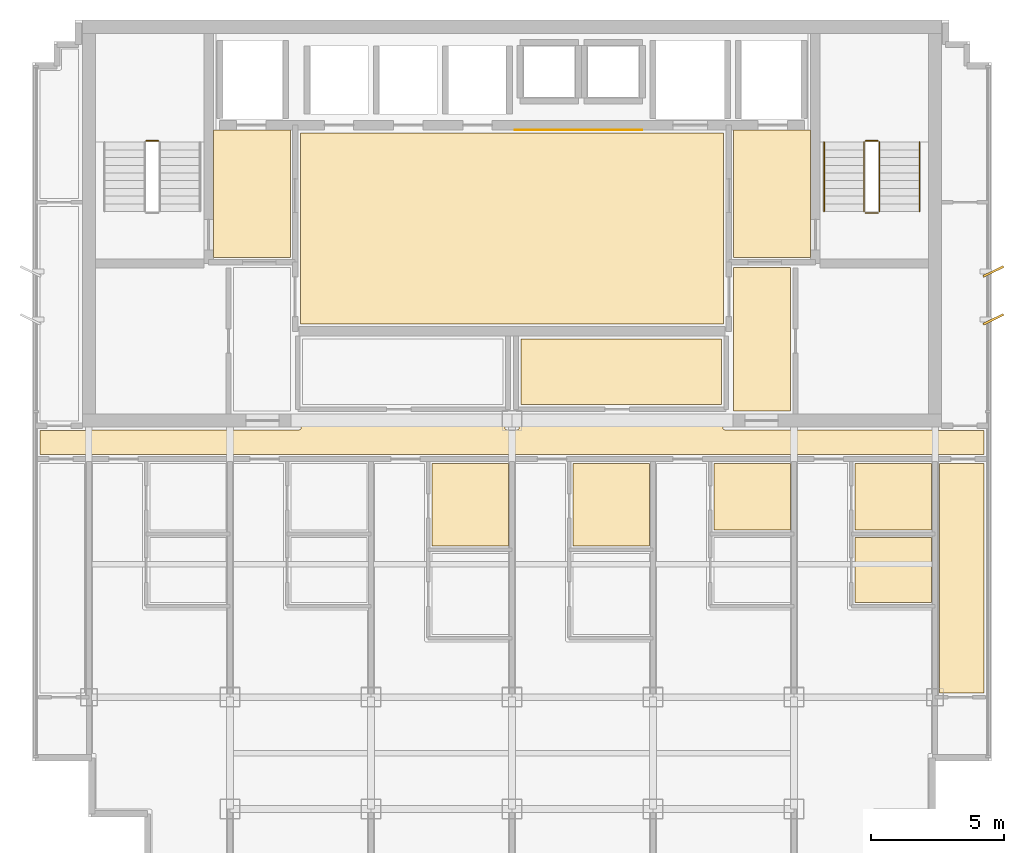
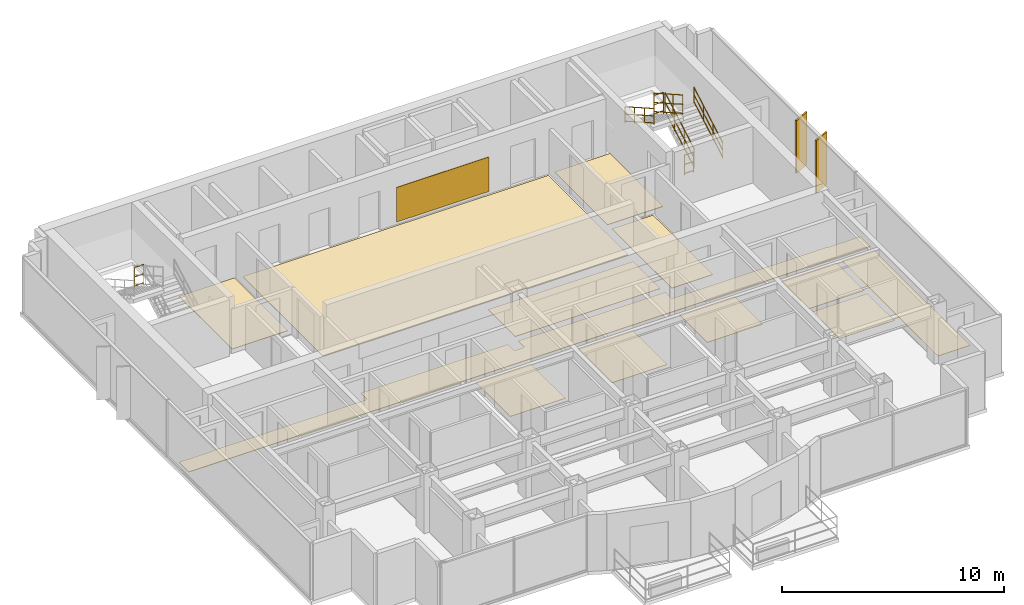
# One storey, part 10 of 10: 13 coverings, 7 railings, 2 shading devices.
"""IFC4 building model written with IfcOpenShell, lengths in metres."""

from ifc_helpers import new_model, si_unit, direction, frame, origin, origin_2d, place, context, subcontext, project, spatial, polyline, rectangle, circle, outline, extrude, source, transform, mapped, material, layer, layer_set, type_object, element, save


model = new_model("IFC4")

# Units and contexts
model_context = context("Model", 3, precision=1e-05, world=origin(), true_north=direction((0.0, 1.0)))
body_context = subcontext(model_context, "Body", "Model", "MODEL_VIEW")
ifc_project = project(units=[si_unit("LENGTHUNIT", "METRE"), si_unit("AREAUNIT", "SQUARE_METRE"), si_unit("VOLUMEUNIT", "CUBIC_METRE"), si_unit("PLANEANGLEUNIT", "RADIAN"), si_unit("MASSUNIT", "GRAM", prefix="KILO")], contexts=[model_context])

# Site, building, storey
site_placement = place(None, origin())
site = spatial("IfcSite", under=ifc_project, at=site_placement, CompositionType="ELEMENT")
building_placement = place(site_placement, origin())
building = spatial("IfcBuilding", under=site, at=building_placement, Name="Qianlan Lanfeng Residences", CompositionType="ELEMENT")
storey_placement = place(building_placement, frame((0.0, 0.0, 236.300048828125)))
storey = spatial("IfcBuildingStorey", under=building, at=storey_placement, Name="L65", CompositionType="ELEMENT", Elevation=236.300048828125)

# Coverings
ifc_material_1 = material(Name="Anodised Bronze Feature Wall Cladding")
ifc_layer_1 = layer(ifc_material_1, 0.02490234375)
ifc_layer_set_1 = layer_set([ifc_layer_1], Name="Anodised Bronze Feature Wall Cladding")
covering_type_1 = type_object("IfcCoveringType", Name="CLD-BRZ-25", PredefinedType="CLADDING", material=ifc_layer_set_1)
covering_1_placement = place(storey_placement, frame((0.0, 0.0, 0.14990234375)))
element("IfcCovering", 1, at=covering_1_placement, inside=storey, type_object=covering_type_1, Name="L65 Lift Lobby Bronze Feature Cladding", PredefinedType="CLADDING", context=body_context, shape_type="SweptSolid", body=[
    extrude(outline(polyline([(26.60009765625, 36.10009765625), (31.39990234375, 36.10009765625), (31.39990234375, 36.125), (26.60009765625, 36.125), (26.60009765625, 36.10009765625)])), origin(), (0.0, 0.0, 1.0), 1.900146484375),
])
ifc_material_2 = material(Name="Honed Taitung Granite Stone Flooring", Category="masonry")
ifc_layer_2 = layer(ifc_material_2, 0.030029296875)
ifc_layer_set_2 = layer_set([ifc_layer_2], Name="Honed Taitung Granite Stone Flooring")
covering_type_2 = type_object("IfcCoveringType", Name="FLR-STN-30", PredefinedType="FLOORING", material=ifc_layer_set_2)
covering_2_placement = place(storey_placement, origin())
element("IfcCovering", 2, at=covering_2_placement, inside=storey, type_object=covering_type_2, Name="L65 Firefighting Lift Lobby Floor Finish", PredefinedType="FLOORING", context=body_context, shape_type="SweptSolid", body=[
    extrude(outline(polyline([(15.2900390625, 31.320068359375), (18.179931640625, 31.320068359375), (18.179931640625, 36.110107421875), (15.2900390625, 36.110107421875), (15.2900390625, 31.320068359375)])), origin(), (0.0, 0.0, 1.0), 0.030029296875),
])
covering_3_placement = place(storey_placement, origin())
element("IfcCovering", 3, at=covering_3_placement, inside=storey, type_object=covering_type_2, Name="L65 Firefighting Lift Lobby Floor Finish", PredefinedType="FLOORING", context=body_context, shape_type="SweptSolid", body=[
    extrude(outline(polyline([(34.820068359375, 31.320068359375), (37.7099609375, 31.320068359375), (37.7099609375, 36.110107421875), (34.820068359375, 36.110107421875), (34.820068359375, 31.320068359375)])), origin(), (0.0, 0.0, 1.0), 0.030029296875),
])
covering_4_placement = place(storey_placement, origin())
element("IfcCovering", 4, at=covering_4_placement, inside=storey, type_object=covering_type_2, Name="L65 Lift Lobby Floor Finish", PredefinedType="FLOORING", context=body_context, shape_type="SweptSolid", body=[
    extrude(outline(polyline([(18.550048828125, 28.820068359375), (34.449951171875, 28.820068359375), (34.449951171875, 36.010009765625), (18.550048828125, 36.010009765625), (18.550048828125, 28.820068359375)])), origin(), (0.0, 0.0, 1.0), 0.030029296875),
])
covering_5_placement = place(storey_placement, origin())
element("IfcCovering", 5, at=covering_5_placement, inside=storey, type_object=covering_type_2, Name="L65 Residential Corridor Floor Finish", PredefinedType="FLOORING", context=body_context, shape_type="SweptSolid", body=[
    extrude(outline(polyline([(8.77001953125, 23.929931640625), (44.22998046875, 23.929931640625), (44.22998046875, 24.820068359375), (42.5400390625, 24.820068359375), (42.532958984375, 24.820068359375), (42.52587890625, 24.821044921875), (42.52001953125, 24.822998046875), (42.512939453125, 24.824951171875), (42.507080078125, 24.827880859375), (42.5009765625, 24.83203125), (42.49609375, 24.8359375), (42.490966796875, 24.841064453125), (42.486083984375, 24.845947265625), (42.48291015625, 24.85009765625), (34.5, 24.85009765625), (34.492919921875, 24.85009765625), (34.486083984375, 24.85107421875), (34.47998046875, 24.85302734375), (34.472900390625, 24.85498046875), (34.467041015625, 24.85791015625), (34.4609375, 24.862060546875), (34.4560546875, 24.865966796875), (34.450927734375, 24.87109375), (34.446044921875, 24.8759765625), (34.44189453125, 24.881103515625), (34.43798828125, 24.886962890625), (34.43505859375, 24.89306640625), (34.43310546875, 24.89990234375), (34.430908203125, 24.906005859375), (34.429931640625, 24.9130859375), (34.429931640625, 24.919921875), (34.429931640625, 25.429931640625), (26.77001953125, 25.429931640625), (26.77001953125, 24.919921875), (26.77001953125, 24.9130859375), (26.76904296875, 24.906005859375), (26.76708984375, 24.89990234375), (26.764892578125, 24.89306640625), (26.761962890625, 24.886962890625), (26.758056640625, 24.881103515625), (26.75390625, 24.8759765625), (26.7490234375, 24.87109375), (26.743896484375, 24.865966796875), (26.739013671875, 24.862060546875), (26.73291015625, 24.85791015625), (26.72705078125, 24.85498046875), (26.719970703125, 24.85302734375), (26.714111328125, 24.85107421875), (26.70703125, 24.85009765625), (26.699951171875, 24.85009765625), (26.300048828125, 24.85009765625), (26.29296875, 24.85009765625), (26.285888671875, 24.85107421875), (26.280029296875, 24.85302734375), (26.27294921875, 24.85498046875), (26.26708984375, 24.85791015625), (26.260986328125, 24.862060546875), (26.256103515625, 24.865966796875), (26.2509765625, 24.87109375), (26.24609375, 24.8759765625), (26.241943359375, 24.881103515625), (26.238037109375, 24.886962890625), (26.235107421875, 24.89306640625), (26.23291015625, 24.89990234375), (26.23095703125, 24.906005859375), (26.22998046875, 24.9130859375), (26.22998046875, 24.919921875), (26.22998046875, 25.429931640625), (18.570068359375, 25.429931640625), (18.570068359375, 24.919921875), (18.570068359375, 24.9130859375), (18.569091796875, 24.906005859375), (18.56689453125, 24.89990234375), (18.56494140625, 24.89306640625), (18.56201171875, 24.886962890625), (18.55810546875, 24.881103515625), (18.553955078125, 24.8759765625), (18.549072265625, 24.87109375), (18.5439453125, 24.865966796875), (18.5390625, 24.862060546875), (18.532958984375, 24.85791015625), (18.527099609375, 24.85498046875), (18.52001953125, 24.85302734375), (18.513916015625, 24.85107421875), (18.507080078125, 24.85009765625), (18.5, 24.85009765625), (10.51708984375, 24.85009765625), (10.513916015625, 24.845947265625), (10.509033203125, 24.841064453125), (10.50390625, 24.8359375), (10.4990234375, 24.83203125), (10.492919921875, 24.827880859375), (10.487060546875, 24.824951171875), (10.47998046875, 24.822998046875), (10.47412109375, 24.821044921875), (10.467041015625, 24.820068359375), (10.4599609375, 24.820068359375), (8.77001953125, 24.820068359375), (8.77001953125, 23.929931640625)])), origin(), (0.0, 0.0, 1.0), 0.030029296875),
])
covering_6_placement = place(storey_placement, origin())
element("IfcCovering", 6, at=covering_6_placement, inside=storey, type_object=covering_type_2, Name="L65 Lift Lobby Floor Finish", PredefinedType="FLOORING", context=body_context, shape_type="SweptSolid", body=[
    extrude(outline(polyline([(34.830078125, 25.56005859375), (36.969970703125, 25.56005859375), (36.969970703125, 30.949951171875), (34.830078125, 30.949951171875), (34.830078125, 25.56005859375)])), origin(), (0.0, 0.0, 1.0), 0.030029296875),
])
ifc_material_3 = material(Name="Slip-Resistant Porcelain Tile Flooring")
ifc_layer_3 = layer(ifc_material_3, 0.02001953125)
ifc_layer_set_3 = layer_set([ifc_layer_3], Name="Slip-Resistant Porcelain Tile Flooring")
covering_type_3 = type_object("IfcCoveringType", Name="FLR-TIL-20", PredefinedType="FLOORING", material=ifc_layer_set_3)
covering_7_placement = place(storey_placement, origin())
element("IfcCovering", 7, at=covering_7_placement, inside=storey, type_object=covering_type_3, Name="L65 Bathroom Floor Finish", PredefinedType="FLOORING", context=body_context, shape_type="SweptSolid", body=[
    extrude(outline(polyline([(23.489990234375, 20.47509765625), (26.360107421875, 20.47509765625), (26.360107421875, 23.580078125), (23.489990234375, 23.580078125), (23.489990234375, 20.47509765625)])), origin(), (0.0, 0.0, 1.0), 0.02001953125),
])
covering_8_placement = place(storey_placement, origin())
element("IfcCovering", 8, at=covering_8_placement, inside=storey, type_object=covering_type_3, Name="L65 Bathroom Floor Finish", PredefinedType="FLOORING", context=body_context, shape_type="SweptSolid", body=[
    extrude(outline(polyline([(28.7900390625, 20.47509765625), (31.659912109375, 20.47509765625), (31.659912109375, 23.580078125), (28.7900390625, 23.580078125), (28.7900390625, 20.47509765625)])), origin(), (0.0, 0.0, 1.0), 0.02001953125),
])
covering_9_placement = place(storey_placement, origin())
element("IfcCovering", 9, at=covering_9_placement, inside=storey, type_object=covering_type_3, Name="L65 Bathroom Floor Finish", PredefinedType="FLOORING", context=body_context, shape_type="SweptSolid", body=[
    extrude(outline(polyline([(34.090087890625, 21.074951171875), (36.9599609375, 21.074951171875), (36.9599609375, 23.580078125), (34.090087890625, 23.580078125), (34.090087890625, 21.074951171875)])), origin(), (0.0, 0.0, 1.0), 0.02001953125),
])
covering_10_placement = place(storey_placement, origin())
element("IfcCovering", 10, at=covering_10_placement, inside=storey, type_object=covering_type_3, Name="L65 Kitchen Floor Finish", PredefinedType="FLOORING", context=body_context, shape_type="SweptSolid", body=[
    extrude(outline(polyline([(39.389892578125, 18.360107421875), (42.260009765625, 18.360107421875), (42.260009765625, 20.794921875), (39.389892578125, 20.794921875), (39.389892578125, 18.360107421875)])), origin(), (0.0, 0.0, 1.0), 0.02001953125),
])
covering_11_placement = place(storey_placement, origin())
element("IfcCovering", 11, at=covering_11_placement, inside=storey, type_object=covering_type_3, Name="L65 Bathroom Floor Finish", PredefinedType="FLOORING", context=body_context, shape_type="SweptSolid", body=[
    extrude(outline(polyline([(39.389892578125, 21.074951171875), (42.260009765625, 21.074951171875), (42.260009765625, 23.580078125), (39.389892578125, 23.580078125), (39.389892578125, 21.074951171875)])), origin(), (0.0, 0.0, 1.0), 0.02001953125),
])
ifc_material_4 = material(Name="Engineered Smoked Oak Timber Flooring", Category="wood")
ifc_layer_4 = layer(ifc_material_4, 0.02197265625)
ifc_layer_set_4 = layer_set([ifc_layer_4], Name="Engineered Smoked Oak Timber Flooring")
covering_type_4 = type_object("IfcCoveringType", Name="FLR-TIM-22", PredefinedType="FLOORING", material=ifc_layer_set_4)
covering_12_placement = place(storey_placement, origin())
element("IfcCovering", 12, at=covering_12_placement, inside=storey, type_object=covering_type_4, Name="L65 Panoramic Sky Foyer Salon Floor Finish", PredefinedType="FLOORING", context=body_context, shape_type="SweptSolid", body=[
    extrude(outline(polyline([(26.830078125, 25.800048828125), (34.3701171875, 25.800048828125), (34.3701171875, 28.2548828125), (26.830078125, 28.2548828125), (26.830078125, 25.800048828125)])), origin(), (0.0, 0.0, 1.0), 0.02197265625),
])
covering_13_placement = place(storey_placement, origin())
element("IfcCovering", 13, at=covering_13_placement, inside=storey, type_object=covering_type_4, Name="L65 Private Study Floor Finish", PredefinedType="FLOORING", context=body_context, shape_type="SweptSolid", body=[
    extrude(outline(polyline([(44.22998046875, 23.580078125), (42.56005859375, 23.580078125), (42.56005859375, 14.949951171875), (44.22998046875, 14.949951171875), (44.22998046875, 23.580078125)])), origin(), (0.0, 0.0, 1.0), 0.02197265625),
])

# Railings
ifc_material_5 = material(Name="Painted Galvanised Steel Guardrail", Category="steel")
railing_type_1 = type_object("IfcRailingType", Name="GR-ST-1120", PredefinedType="GUARDRAIL", material=ifc_material_5)
railing_1_placement = place(storey_placement, frame((13.219970703125, 35.7099609375, 1.64990234375)))
element("IfcRailing", 14, at=railing_1_placement, inside=storey, type_object=railing_type_1, Name="L65 ST-1 stair guard 2", PredefinedType="GUARDRAIL", context=body_context, shape_type="SweptSolid", body=[
    extrude(circle(Radius=0.02392578125, at=origin_2d()), frame((0.0, 0.0, 0.083984375), z_axis=(-1.0, 0.0, 0.0), x_axis=(0.0, -1.0, 0.0)), (0.0, 0.0, 1.0), 0.47998046875),
    extrude(circle(Radius=0.02392578125, at=origin_2d()), frame((0.0, 0.0, 0.58251953125), z_axis=(-1.0, 0.0, 0.0), x_axis=(0.0, -1.0, 0.0)), (0.0, 0.0, 1.0), 0.47998046875),
    extrude(circle(Radius=0.02392578125, at=origin_2d()), frame((0.0, 0.0, 1.09619140625), z_axis=(-1.0, 0.0, 0.0), x_axis=(0.0, -1.0, 0.0)), (0.0, 0.0, 1.0), 0.47998046875),
    extrude(circle(Radius=0.02099609375, at=origin_2d()), origin(), (0.0, 0.0, 1.0), 1.072021484375),
    extrude(circle(Radius=0.02099609375, at=origin_2d()), frame((-0.47998046875, 0.0, 0.0)), (0.0, 0.0, 1.0), 1.072021484375),
])
railing_2_placement = place(storey_placement, frame((40.31005859375, 33.050048828125, 0.1650390625)))
element("IfcRailing", 15, at=railing_2_placement, inside=storey, type_object=railing_type_1, Name="L65 ST-2 stair guard 1", PredefinedType="GUARDRAIL", context=body_context, shape_type="SweptSolid", body=[
    extrude(circle(Radius=0.02392578125, at=origin_2d()), frame((0.0, 0.0, 0.083984375), z_axis=(0.0, 0.869172267526, 0.494509422927), x_axis=(-1.0, 0.0, 0.0)), (0.0, 0.0, 1.0), 3.002685546875),
    extrude(circle(Radius=0.02392578125, at=origin_2d()), frame((0.0, 0.0, 0.58251953125), z_axis=(0.0, 0.869172267526, 0.494509422927), x_axis=(-1.0, 0.0, 0.0)), (0.0, 0.0, 1.0), 3.002685546875),
    extrude(circle(Radius=0.02392578125, at=origin_2d()), frame((0.0, 0.0, 1.09619140625), z_axis=(0.0, 0.869172267526, 0.494509422927), x_axis=(-1.0, 0.0, 0.0)), (0.0, 0.0, 1.0), 3.002685546875),
    extrude(circle(Radius=0.02099609375, at=origin_2d()), origin(), (0.0, 0.0, 1.0), 1.072021484375),
    extrude(circle(Radius=0.02099609375, at=origin_2d()), frame((0.0, 0.869873046875, 0.494873046875)), (0.0, 0.0, 1.0), 1.072021484375),
    extrude(circle(Radius=0.02099609375, at=origin_2d()), frame((0.0, 1.739990234375, 0.989990234375)), (0.0, 0.0, 1.0), 1.072021484375),
    extrude(circle(Radius=0.02099609375, at=origin_2d()), frame((0.0, 2.60986328125, 1.48486328125)), (0.0, 0.0, 1.0), 1.072021484375),
])
railing_3_placement = place(storey_placement, frame((40.260009765625, 35.7099609375, 1.64990234375)))
element("IfcRailing", 16, at=railing_3_placement, inside=storey, type_object=railing_type_1, Name="L65 ST-2 stair guard 2", PredefinedType="GUARDRAIL", context=body_context, shape_type="SweptSolid", body=[
    extrude(circle(Radius=0.02392578125, at=origin_2d()), frame((0.0, 0.0, 0.083984375), z_axis=(-1.0, 0.0, 0.0), x_axis=(0.0, -1.0, 0.0)), (0.0, 0.0, 1.0), 0.47998046875),
    extrude(circle(Radius=0.02392578125, at=origin_2d()), frame((0.0, 0.0, 0.58251953125), z_axis=(-1.0, 0.0, 0.0), x_axis=(0.0, -1.0, 0.0)), (0.0, 0.0, 1.0), 0.47998046875),
    extrude(circle(Radius=0.02392578125, at=origin_2d()), frame((0.0, 0.0, 1.09619140625), z_axis=(-1.0, 0.0, 0.0), x_axis=(0.0, -1.0, 0.0)), (0.0, 0.0, 1.0), 0.47998046875),
    extrude(circle(Radius=0.02099609375, at=origin_2d()), origin(), (0.0, 0.0, 1.0), 1.072021484375),
    extrude(circle(Radius=0.02099609375, at=origin_2d()), frame((-0.47998046875, 0.0, 0.0)), (0.0, 0.0, 1.0), 1.072021484375),
])
railing_4_placement = place(storey_placement, frame((39.72998046875, 35.659912109375, 1.81494140625)))
element("IfcRailing", 17, at=railing_4_placement, inside=storey, type_object=railing_type_1, Name="L65 ST-2 stair guard 3", PredefinedType="GUARDRAIL", context=body_context, shape_type="SweptSolid", body=[
    extrude(circle(Radius=0.02392578125, at=origin_2d()), frame((0.0, 0.0, 0.083984375), z_axis=(0.0, -0.869137319866, 0.494570843475), x_axis=(1.0, 0.0, 0.0)), (0.0, 0.0, 1.0), 3.0029296875),
    extrude(circle(Radius=0.02392578125, at=origin_2d()), frame((0.0, 0.0, 0.58251953125), z_axis=(0.0, -0.869137319866, 0.494570843475), x_axis=(1.0, 0.0, 0.0)), (0.0, 0.0, 1.0), 3.0029296875),
    extrude(circle(Radius=0.02392578125, at=origin_2d()), frame((0.0, 0.0, 1.09619140625), z_axis=(0.0, -0.869137319866, 0.494570843475), x_axis=(1.0, 0.0, 0.0)), (0.0, 0.0, 1.0), 3.0029296875),
    extrude(circle(Radius=0.02099609375, at=origin_2d()), origin(), (0.0, 0.0, 1.0), 1.072021484375),
    extrude(circle(Radius=0.02099609375, at=origin_2d()), frame((0.0, -0.869873046875, 0.4951171875)), (0.0, 0.0, 1.0), 1.072021484375),
    extrude(circle(Radius=0.02099609375, at=origin_2d()), frame((0.0, -1.739990234375, 0.989990234375)), (0.0, 0.0, 1.0), 1.072021484375),
    extrude(circle(Radius=0.02099609375, at=origin_2d()), frame((0.0, -2.60986328125, 1.485107421875)), (0.0, 0.0, 1.0), 1.072021484375),
])
railing_5_placement = place(storey_placement, frame((40.260009765625, 33.0, 0.0)))
element("IfcRailing", 18, at=railing_5_placement, inside=storey, type_object=railing_type_1, Name="L65 ST-2 stair guard 4", PredefinedType="GUARDRAIL", context=body_context, shape_type="SweptSolid", body=[
    extrude(circle(Radius=0.02392578125, at=origin_2d()), frame((0.0, 0.0, 0.083984375), z_axis=(-1.0, 0.0, 0.0), x_axis=(0.0, -1.0, 0.0)), (0.0, 0.0, 1.0), 0.47998046875),
    extrude(circle(Radius=0.02392578125, at=origin_2d()), frame((0.0, 0.0, 0.58251953125), z_axis=(-1.0, 0.0, 0.0), x_axis=(0.0, -1.0, 0.0)), (0.0, 0.0, 1.0), 0.47998046875),
    extrude(circle(Radius=0.02392578125, at=origin_2d()), frame((0.0, 0.0, 1.09619140625), z_axis=(-1.0, 0.0, 0.0), x_axis=(0.0, -1.0, 0.0)), (0.0, 0.0, 1.0), 0.47998046875),
    extrude(circle(Radius=0.02099609375, at=origin_2d()), origin(), (0.0, 0.0, 1.0), 1.072021484375),
    extrude(circle(Radius=0.02099609375, at=origin_2d()), frame((-0.47998046875, 0.0, 0.0)), (0.0, 0.0, 1.0), 1.072021484375),
])
ifc_material_6 = material(Name="Brushed Stainless Steel Handrail", Category="steel")
railing_type_2 = type_object("IfcRailingType", Name="HR-ST-920", PredefinedType="HANDRAIL", material=ifc_material_6)
railing_6_placement = place(storey_placement, frame((41.81005859375, 33.050048828125, 0.1650390625)))
element("IfcRailing", 19, at=railing_6_placement, inside=storey, type_object=railing_type_2, Name="L65 ST-2 stair handrail 1", PredefinedType="HANDRAIL", context=body_context, shape_type="SweptSolid", body=[
    extrude(circle(Radius=0.02392578125, at=origin_2d()), frame((0.0, 0.0, 0.083984375), z_axis=(0.0, 0.869172267526, 0.494509422927), x_axis=(-1.0, 0.0, 0.0)), (0.0, 0.0, 1.0), 3.002685546875),
    extrude(circle(Radius=0.02392578125, at=origin_2d()), frame((0.0, 0.0, 0.468017578125), z_axis=(0.0, 0.869172267526, 0.494509422927), x_axis=(-1.0, 0.0, 0.0)), (0.0, 0.0, 1.0), 3.002685546875),
    extrude(circle(Radius=0.02392578125, at=origin_2d()), frame((0.0, 0.0, 0.8759765625), z_axis=(0.0, 0.869172267526, 0.494509422927), x_axis=(-1.0, 0.0, 0.0)), (0.0, 0.0, 1.0), 3.002685546875),
    extrude(circle(Radius=0.02099609375, at=origin_2d()), origin(), (0.0, 0.0, 1.0), 0.851806640625),
    extrude(circle(Radius=0.02099609375, at=origin_2d()), frame((0.0, 0.869873046875, 0.494873046875)), (0.0, 0.0, 1.0), 0.851806640625),
    extrude(circle(Radius=0.02099609375, at=origin_2d()), frame((0.0, 1.739990234375, 0.989990234375)), (0.0, 0.0, 1.0), 0.851806640625),
    extrude(circle(Radius=0.02099609375, at=origin_2d()), frame((0.0, 2.60986328125, 1.48486328125)), (0.0, 0.0, 1.0), 0.851806640625),
])
railing_7_placement = place(storey_placement, frame((38.22998046875, 35.659912109375, 1.81494140625)))
element("IfcRailing", 20, at=railing_7_placement, inside=storey, type_object=railing_type_2, Name="L65 ST-2 stair handrail 2", PredefinedType="HANDRAIL", context=body_context, shape_type="SweptSolid", body=[
    extrude(circle(Radius=0.02392578125, at=origin_2d()), frame((0.0, 0.0, 0.083984375), z_axis=(0.0, -0.869137319866, 0.494570843475), x_axis=(1.0, 0.0, 0.0)), (0.0, 0.0, 1.0), 3.0029296875),
    extrude(circle(Radius=0.02392578125, at=origin_2d()), frame((0.0, 0.0, 0.468017578125), z_axis=(0.0, -0.869137319866, 0.494570843475), x_axis=(1.0, 0.0, 0.0)), (0.0, 0.0, 1.0), 3.0029296875),
    extrude(circle(Radius=0.02392578125, at=origin_2d()), frame((0.0, 0.0, 0.8759765625), z_axis=(0.0, -0.869137319866, 0.494570843475), x_axis=(1.0, 0.0, 0.0)), (0.0, 0.0, 1.0), 3.0029296875),
    extrude(circle(Radius=0.02099609375, at=origin_2d()), origin(), (0.0, 0.0, 1.0), 0.851806640625),
    extrude(circle(Radius=0.02099609375, at=origin_2d()), frame((0.0, -0.869873046875, 0.4951171875)), (0.0, 0.0, 1.0), 0.851806640625),
    extrude(circle(Radius=0.02099609375, at=origin_2d()), frame((0.0, -1.739990234375, 0.989990234375)), (0.0, 0.0, 1.0), 0.851806640625),
    extrude(circle(Radius=0.02099609375, at=origin_2d()), frame((0.0, -2.60986328125, 1.485107421875)), (0.0, 0.0, 1.0), 0.851806640625),
])

# Shading devices
ifc_material_7 = material(Name="Anodised Bronze Aluminium Solar Fin", Category="aluminium")
shading_device_type = type_object("IfcShadingDeviceType", Name="FIN-BRZ-850", PredefinedType="SHUTTER", material=ifc_material_7)
shared_shape = source(origin(), body_context, "Body", "SweptSolid", [
    extrude(rectangle(XDim=0.85009765625, YDim=0.080078125, at=origin_2d()), origin(), (0.0, 0.0, 1.0), 2.89990234375),
])
for number, where, z_axis, x_axis, name in (
    (21, (44.590087890625, 29.0, 0.0), (0.0, 0.0, 1.0), (0.898794046299, 0.438371146789, 0.0), "L65 Raked Bronze Solar Fin E1"),
    (22, (44.590087890625, 30.800048828125, 0.0), (0.0, 0.0, 1.0), (0.898794046299, 0.438371146789, 0.0), "L65 Raked Bronze Solar Fin E2"),
):
    element("IfcShadingDevice", number, at=place(storey_placement, frame(where, z_axis=z_axis, x_axis=x_axis)), inside=storey, type_object=shading_device_type, Name=name, PredefinedType="SHUTTER", context=body_context, shape_type="MappedRepresentation", body=[
        mapped(shared_shape, transform((0.0, 0.0, 0.0), scale=1.0)),
    ])

save(model, "model.ifc")
